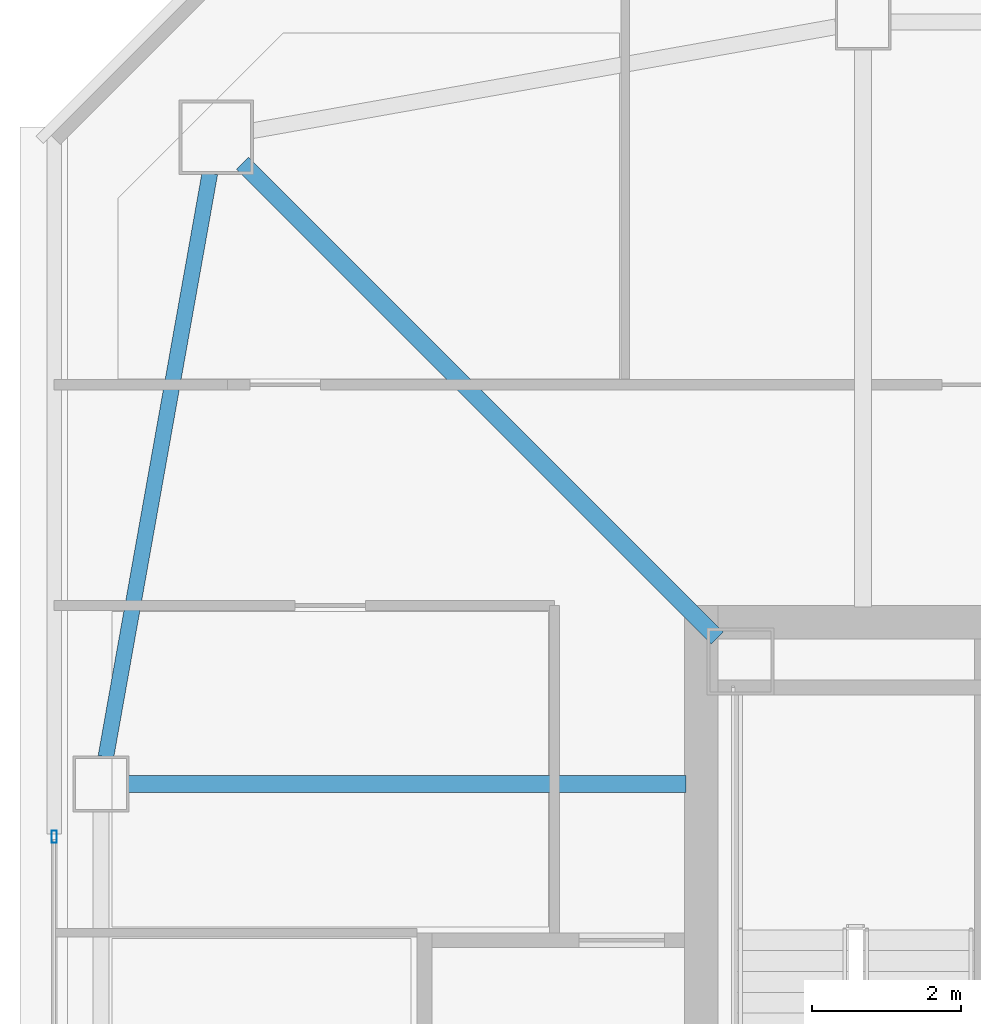
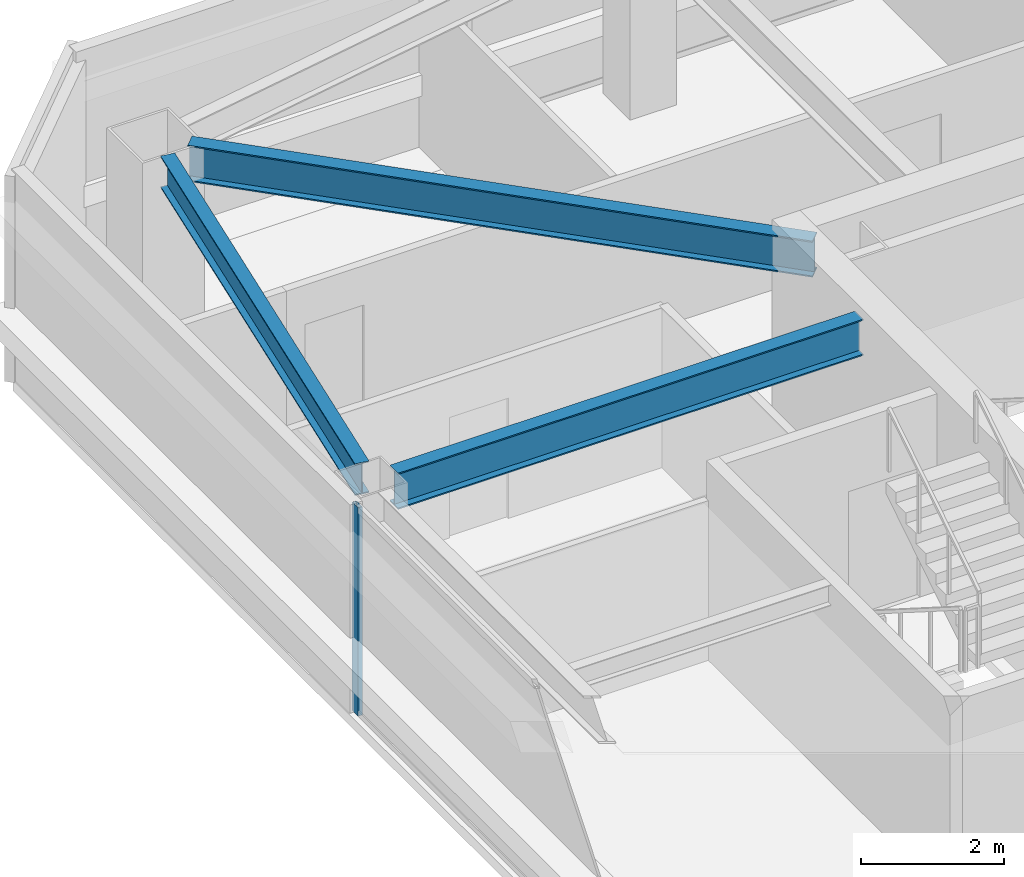
# One storey, part 9 of 39: 3 beams, 1 member, 1 element without a shape of its own.
"""IFC4 building model written with IfcOpenShell, lengths in metres."""

from ifc_helpers import new_model, si_unit, direction, frame, origin, origin_2d, place, context, subcontext, project, spatial, hollow_rectangle, i_section, extrude, material, material_profile, profile_set, type_object, element, aggregate, save


model = new_model("IFC4")

# Units and contexts
model_context = context("Model", 3, precision=1e-05, world=origin(), true_north=direction((0.0, 1.0)))
body_context = subcontext(model_context, "Body", "Model", "MODEL_VIEW")
ifc_project = project(units=[si_unit("LENGTHUNIT", "METRE"), si_unit("AREAUNIT", "SQUARE_METRE"), si_unit("VOLUMEUNIT", "CUBIC_METRE"), si_unit("PLANEANGLEUNIT", "RADIAN"), si_unit("MASSUNIT", "GRAM", prefix="KILO")], contexts=[model_context])

# Site, building, storey
site_placement = place(None, origin())
site = spatial("IfcSite", under=ifc_project, at=site_placement, CompositionType="ELEMENT")
building_placement = place(site_placement, origin())
building = spatial("IfcBuilding", under=site, at=building_placement, Name="Tashvorn Skyway Center", CompositionType="ELEMENT")
storey_placement = place(building_placement, frame((0.0, 0.0, 225.5)))
storey = spatial("IfcBuildingStorey", under=building, at=storey_placement, Name="L61", CompositionType="ELEMENT", Elevation=225.5)

# Beams
ifc_material_1 = material(Name="Steel ASTM A992 Grade 50", Category="steel")
ifc_material_profile_1 = material_profile(ifc_material_1, i_section(OverallWidth=0.22998046875, OverallDepth=0.616943359375, WebThickness=0.01318359375, FlangeThickness=0.022216796875, at=origin_2d()), Name="W24X94")
ifc_profile_set_1 = profile_set([ifc_material_profile_1], Name="Steel ASTM A992 Grade 50")
beam_type_1 = type_object("IfcBeamType", Name="BM-BEAM-W24X94", PredefinedType="BEAM", material=ifc_profile_set_1)
beam_1_placement = place(storey_placement, frame((28.25, 45.75, 3.0615234375), z_axis=(0.707106781187, -0.707106781187, 0.0), x_axis=(0.707106781187, 0.707106781187, 0.0)))
element("IfcBeam", 1, at=beam_1_placement, inside=storey, type_object=beam_type_1, Name="Tower 1 L61 Primary Floor Girder MC-NW", PredefinedType="BEAM", context=body_context, shape_type="SweptSolid", body=[
    extrude(i_section(OverallWidth=0.22998046875, OverallDepth=0.616943359375, WebThickness=0.01318359375, FlangeThickness=0.022216796875, at=origin_2d()), origin(), (0.0, 0.0, 1.0), 9.030029296875),
])
beam_2_placement = place(storey_placement, frame((26.719970703125, 37.39990234375, 3.0615234375), z_axis=(1.0, 0.0, 0.0), x_axis=(0.0, 1.0, 0.0)))
element("IfcBeam", 2, at=beam_2_placement, inside=storey, type_object=beam_type_1, Name="Tower 1 L61 Primary Floor Girder FC-W1", PredefinedType="BEAM", context=body_context, shape_type="SweptSolid", body=[
    extrude(i_section(OverallWidth=0.22998046875, OverallDepth=0.616943359375, WebThickness=0.01318359375, FlangeThickness=0.022216796875, at=origin_2d()), origin(), (0.0, 0.0, 1.0), 7.5),
])
ifc_material_profile_2 = material_profile(ifc_material_1, i_section(OverallWidth=0.2109375, OverallDepth=0.5390625, WebThickness=0.01171875, FlangeThickness=0.018798828125, at=origin_2d()), Name="W21X73")
ifc_profile_set_2 = profile_set([ifc_material_profile_2], Name="Steel ASTM A992 Grade 50")
beam_type_2 = type_object("IfcBeamType", Name="BM-SPANDREL-W21X73", PredefinedType="SPANDREL", material=ifc_profile_set_2)
beam_3_placement = place(storey_placement, frame((27.813232421875, 45.61279296875, 3.1005859375), z_axis=(-0.17541329759, -0.984494883191, 0.0), x_axis=(0.984494883191, -0.17541329759, 0.0)))
element("IfcBeam", 3, at=beam_3_placement, inside=storey, type_object=beam_type_2, Name="Tower 1 L61 Spandrel Beam 10", PredefinedType="SPANDREL", context=body_context, shape_type="SweptSolid", body=[
    extrude(i_section(OverallWidth=0.2109375, OverallDepth=0.5390625, WebThickness=0.01171875, FlangeThickness=0.018798828125, at=origin_2d()), origin(), (0.0, 0.0, 1.0), 7.97216796875),
])

# Curtain wall, member
ifc_material_2 = material(Name="Thermally broken bronze-anodized aluminium 6063-T6", Category="aluminium")
curtain_wall_type = type_object("IfcCurtainWallType", Name="CW-CW-Z5", PredefinedType="NOTDEFINED", material=ifc_material_2)
curtain_wall_placement = place(storey_placement, origin())
curtain_wall = element("IfcCurtainWall", 4, at=curtain_wall_placement, inside=storey, type_object=curtain_wall_type, Name="Tower 1 L61 West Unitised Curtain Wall Glazing Group 1", PredefinedType="NOTDEFINED")
ifc_material_profile_3 = material_profile(ifc_material_2, hollow_rectangle(XDim=0.070068359375, YDim=0.1650390625, WallThickness=0.00390625, at=origin_2d()), Name="ALU-MULL-70x165")
ifc_profile_set_3 = profile_set([ifc_material_profile_3], Name="Thermally broken bronze-anodized aluminium 6063-T6")
member_type = type_object("IfcMemberType", Name="CWM-CW-Z5", PredefinedType="MULLION", material=ifc_profile_set_3)
member_placement = place(storey_placement, frame((25.719970703125, 36.691650390625, 0.0), z_axis=(0.0, 0.0, 1.0), x_axis=(-1.0, 0.0, 0.0)))
member = element("IfcMember", 5, at=member_placement, type_object=member_type, Name="CW-Z5 mullion 2", PredefinedType="MULLION", context=body_context, shape_type="SweptSolid", body=[
    extrude(hollow_rectangle(XDim=0.070068359375, YDim=0.1650390625, WallThickness=0.00390625, at=origin_2d()), origin(), (0.0, 0.0, 1.0), 3.550048828125),
])
aggregate(curtain_wall, [member])

save(model, "model.ifc")
